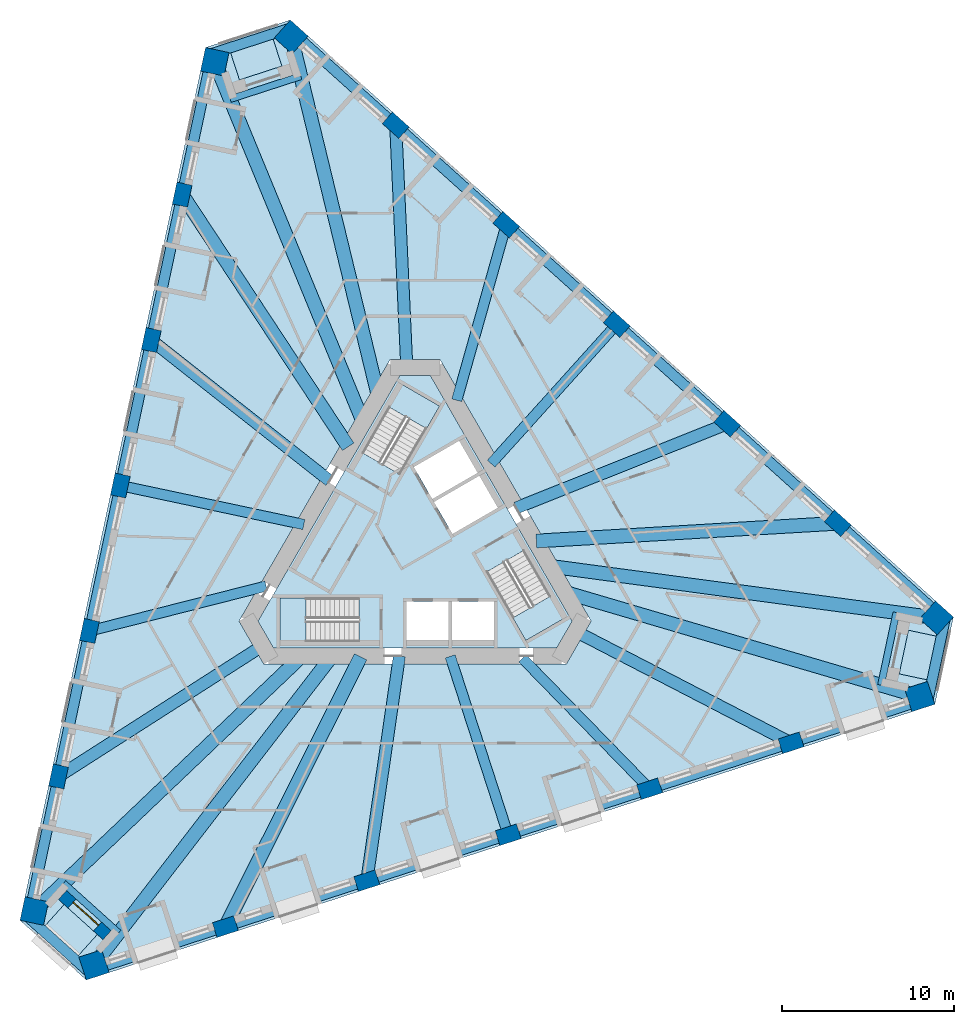
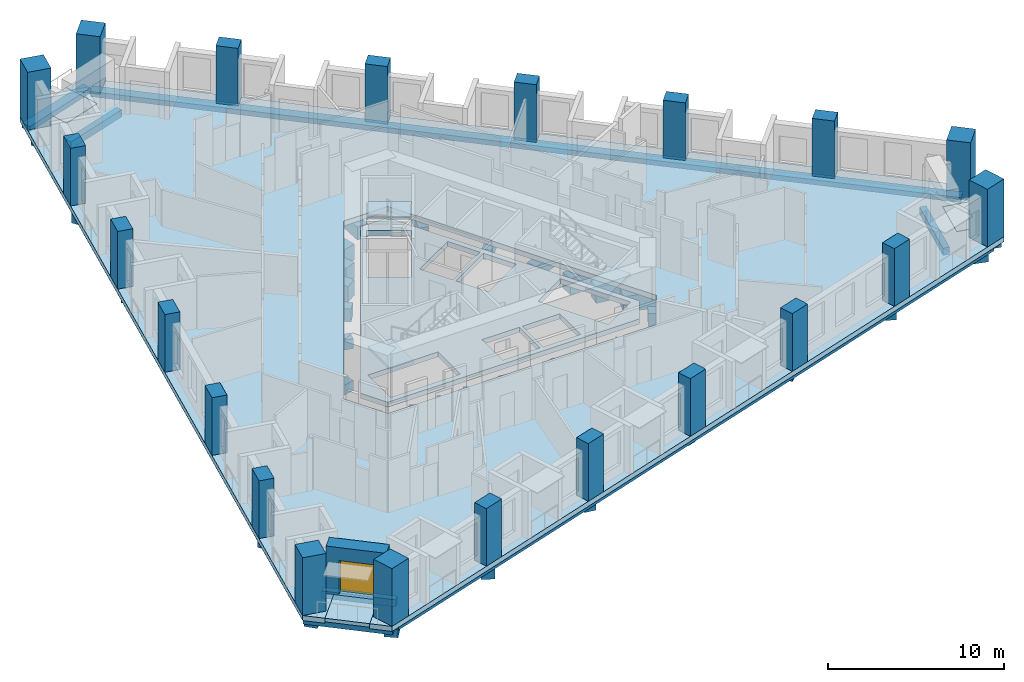
# One storey, part 1 of 13: 30 beams, 21 columns, 8 slabs, 1 door, 1 wall, 1 opening, 3 elements without a shape of their own.
"""IFC4 building model written with IfcOpenShell, lengths in metres."""

from ifc_helpers import new_model, si_unit, direction, frame, frame_2d, origin, origin_2d, place, context, subcontext, project, spatial, polyline, rectangle, outline, extrude, material, layer, layer_set, material_profile, profile_set, type_object, element, fill, aggregate, save


model = new_model("IFC4")

# Units and contexts
model_context = context("Model", 3, precision=1e-05, world=origin(), true_north=direction((0.0, 1.0)))
body_context = subcontext(model_context, "Body", "Model", "MODEL_VIEW")
ifc_project = project(units=[si_unit("LENGTHUNIT", "METRE"), si_unit("AREAUNIT", "SQUARE_METRE"), si_unit("VOLUMEUNIT", "CUBIC_METRE"), si_unit("PLANEANGLEUNIT", "RADIAN"), si_unit("MASSUNIT", "GRAM", prefix="KILO")], contexts=[model_context])

# Site, building, storey
site_placement = place(None, origin())
site = spatial("IfcSite", under=ifc_project, at=site_placement, CompositionType="ELEMENT")
building_placement = place(site_placement, origin())
building = spatial("IfcBuilding", under=site, at=building_placement, Name="Tramontana Tower", CompositionType="ELEMENT")
storey_placement = place(building_placement, frame((0.0, 0.0, 116.39990234375)))
storey = spatial("IfcBuildingStorey", under=building, at=storey_placement, Name="L26", CompositionType="ELEMENT", Elevation=116.39990234375)

# Columns
ifc_material_1 = material(Name="Concrete 70 MPa", Category="concrete")
ifc_material_profile_1 = material_profile(ifc_material_1, rectangle(XDim=1.39990234375, YDim=1.39990234375, at=origin_2d()), Name="Mega column 1400X1400 70 MPa")
ifc_profile_set_1 = profile_set([ifc_material_profile_1], Name="Concrete 70 MPa")
column_type_1 = type_object("IfcColumnType", Name="Mega column 1400X1400 70 MPa", PredefinedType="COLUMN", material=ifc_profile_set_1)
for number, where, z_axis, x_axis, name in (
    (1, (-11.665771484375, 28.3251953125, 0.0), (0.0, 0.0, 1.0), (-0.207911690818, -0.978147600734, 0.0), "Mega column C2K1 L26"),
    (2, (-22.17822265625, -21.13134765625, 0.0), (0.0, 0.0, 1.0), (-0.207911690818, -0.978147600734, 0.0), "Mega column C2K2 L26"),
    (3, (-18.697509765625, -24.265380859375, 0.0), (0.0, 0.0, 1.0), (0.951056516295, 0.309016994375, 0.0), "Mega column C2K3 L26"),
    (4, (29.389404296875, -8.64111328125, 0.0), (0.0, 0.0, 1.0), (0.951056516295, 0.309016994375, 0.0), "Mega column C2K4 L26"),
    (5, (30.36328125, -4.059814453125, 0.0), (0.0, 0.0, 1.0), (-0.743144825477, 0.669130606359, 0.0), "Mega column C2K5 L26"),
    (6, (-7.21142578125, 29.7724609375, 0.0), (0.0, 0.0, 1.0), (-0.743144825477, 0.669130606359, 0.0), "Mega column C2K6 L26"),
):
    element("IfcColumn", number, at=place(storey_placement, frame(where, z_axis=z_axis, x_axis=x_axis)), inside=storey, type_object=column_type_1, Name=name, PredefinedType="COLUMN", context=body_context, shape_type="SweptSolid", body=[
        extrude(rectangle(XDim=1.39990234375, YDim=1.39990234375, at=origin_2d()), origin(), (0.0, 0.0, 1.0), 4.0),
    ])
ifc_material_2 = material(Name="Concrete 55 MPa", Category="concrete")
ifc_material_profile_2 = material_profile(ifc_material_2, rectangle(XDim=1.300048828125, YDim=0.89990234375, at=origin_2d()), Name="Pier column 1300X900 55 MPa")
ifc_profile_set_2 = profile_set([ifc_material_profile_2], Name="Concrete 55 MPa")
column_type_2 = type_object("IfcColumnType", Name="Pier column 1300X900 55 MPa", PredefinedType="COLUMN", material=ifc_profile_set_2)
for number, where, z_axis, x_axis, name in (
    (7, (-13.5654296875, 20.5908203125, 0.0), (0.0, 0.0, 1.0), (-0.207911690818, -0.978147600734, 0.0), "Pier column C2F01 L26"),
    (8, (-15.365966796875, 12.119873046875, 0.0), (0.0, 0.0, 1.0), (-0.207911690818, -0.978147600734, 0.0), "Pier column C2F02 L26"),
    (9, (-17.16650390625, 3.64892578125, 0.0), (0.0, 0.0, 1.0), (-0.207911690818, -0.978147600734, 0.0), "Pier column C2F03 L26"),
    (10, (-18.967041015625, -4.822265625, 0.0), (0.0, 0.0, 1.0), (-0.207911690818, -0.978147600734, 0.0), "Pier column C2F04 L26"),
    (11, (-20.767578125, -13.293212890625, 0.0), (0.0, 0.0, 1.0), (-0.207911690818, -0.978147600734, 0.0), "Pier column C2F05 L26"),
    (12, (-11.049560546875, -22.04345703125, 0.0), (0.0, 0.0, 1.0), (0.951056516295, 0.309016994375, 0.0), "Pier column C2F06 L26"),
    (13, (-2.813232421875, -19.3671875, 0.0), (0.0, 0.0, 1.0), (0.951056516295, 0.309016994375, 0.0), "Pier column C2F07 L26"),
    (14, (5.42333984375, -16.691162109375, 0.0), (0.0, 0.0, 1.0), (0.951056516295, 0.309016994375, 0.0), "Pier column C2F08 L26"),
    (15, (13.65966796875, -14.014892578125, 0.0), (0.0, 0.0, 1.0), (0.951056516295, 0.309016994375, 0.0), "Pier column C2F09 L26"),
    (16, (21.89599609375, -11.338623046875, 0.0), (0.0, 0.0, 1.0), (0.951056516295, 0.309016994375, 0.0), "Pier column C2F10 L26"),
    (17, (24.614990234375, 1.452392578125, 0.0), (0.0, 0.0, 1.0), (-0.743144825477, 0.669130606359, 0.0), "Pier column C2F11 L26"),
    (18, (18.178955078125, 7.247314453125, 0.0), (0.0, 0.0, 1.0), (-0.743144825477, 0.669130606359, 0.0), "Pier column C2F12 L26"),
    (19, (11.7431640625, 13.042236328125, 0.0), (0.0, 0.0, 1.0), (-0.743144825477, 0.669130606359, 0.0), "Pier column C2F13 L26"),
    (20, (5.307373046875, 18.8369140625, 0.0), (0.0, 0.0, 1.0), (-0.743144825477, 0.669130606359, 0.0), "Pier column C2F14 L26"),
    (21, (-1.12841796875, 24.6318359375, 0.0), (0.0, 0.0, 1.0), (-0.743144825477, 0.669130606359, 0.0), "Pier column C2F15 L26"),
):
    element("IfcColumn", number, at=place(storey_placement, frame(where, z_axis=z_axis, x_axis=x_axis)), inside=storey, type_object=column_type_2, Name=name, PredefinedType="COLUMN", context=body_context, shape_type="SweptSolid", body=[
        extrude(rectangle(XDim=1.300048828125, YDim=0.89990234375, at=origin_2d()), origin(), (0.0, 0.0, 1.0), 4.0),
    ])

# Beams
ifc_material_3 = material(Name="Concrete 40 MPa", Category="concrete")
ifc_material_profile_3 = material_profile(ifc_material_3, rectangle(XDim=0.60009765625, YDim=0.35009765625, at=origin_2d()), Name="RC EDGE BEAM 600X350 40 MPa")
ifc_profile_set_3 = profile_set([ifc_material_profile_3], Name="Concrete 40 MPa")
beam_type_1 = type_object("IfcBeamType", Name="RC EDGE BEAM 600X350 40 MPa", PredefinedType="SPANDREL", material=ifc_profile_set_3)
beam_1_placement = place(storey_placement, frame((-11.910400390625, 28.377197265625, -0.52490234375), z_axis=(-0.207908708796, -0.978148234577, 0.0), x_axis=(0.978148234577, -0.207908708796, 0.0)))
element("IfcBeam", 22, at=beam_1_placement, inside=storey, type_object=beam_type_1, Name="Spandrel beam S0 L26", PredefinedType="SPANDREL", context=body_context, shape_type="SweptSolid", body=[
    extrude(rectangle(XDim=0.60009765625, YDim=0.35009765625, at=origin_2d()), origin(), (0.0, 0.0, 1.0), 50.561767578125),
])
beam_2_placement = place(storey_placement, frame((-18.6201171875, -24.503173828125, -0.52490234375), z_axis=(0.95105720178, 0.309014884661, 0.0), x_axis=(-0.309014884661, 0.95105720178, 0.0)))
element("IfcBeam", 23, at=beam_2_placement, inside=storey, type_object=beam_type_1, Name="Spandrel beam S1 L26", PredefinedType="SPANDREL", context=body_context, shape_type="SweptSolid", body=[
    extrude(rectangle(XDim=0.60009765625, YDim=0.35009765625, at=origin_2d()), origin(), (0.0, 0.0, 1.0), 50.5615234375),
])
beam_3_placement = place(storey_placement, frame((30.530517578125, -3.873779296875, -0.52490234375), z_axis=(-0.743146468863, 0.66912878119, 0.0), x_axis=(-0.66912878119, -0.743146468863, 0.0)))
element("IfcBeam", 24, at=beam_3_placement, inside=storey, type_object=beam_type_1, Name="Spandrel beam S2 L26", PredefinedType="SPANDREL", context=body_context, shape_type="SweptSolid", body=[
    extrude(rectangle(XDim=0.60009765625, YDim=0.35009765625, at=origin_2d()), origin(), (0.0, 0.0, 1.0), 50.561279296875),
])
beam_4_placement = place(storey_placement, frame((-7.1240234375, 30.333251953125, -0.52490234375), z_axis=(-0.951056854477, -0.309015953557, 0.0), x_axis=(0.309015953557, -0.951056854477, 0.0)))
element("IfcBeam", 25, at=beam_4_placement, inside=storey, type_object=beam_type_1, Name="Spandrel beam K0 L26", PredefinedType="SPANDREL", context=body_context, shape_type="SweptSolid", body=[
    extrude(rectangle(XDim=0.60009765625, YDim=0.35009765625, at=origin_2d()), origin(), (0.0, 0.0, 1.0), 5.1962890625),
])
beam_5_placement = place(storey_placement, frame((-22.707275390625, -21.336181640625, -0.52490234375), z_axis=(0.743160964229, -0.669112682025, 0.0), x_axis=(0.669112682025, 0.743160964229, 0.0)))
element("IfcBeam", 26, at=beam_5_placement, inside=storey, type_object=beam_type_1, Name="Spandrel beam K1 L26", PredefinedType="SPANDREL", context=body_context, shape_type="SweptSolid", body=[
    extrude(rectangle(XDim=0.60009765625, YDim=0.35009765625, at=origin_2d()), origin(), (0.0, 0.0, 1.0), 5.196044921875),
])
beam_6_placement = place(storey_placement, frame((29.831298828125, -8.9970703125, -0.52490234375), z_axis=(0.207902023431, 0.97814965555, 0.0), x_axis=(-0.97814965555, 0.207902023431, 0.0)))
element("IfcBeam", 27, at=beam_6_placement, inside=storey, type_object=beam_type_1, Name="Spandrel beam K2 L26", PredefinedType="SPANDREL", context=body_context, shape_type="SweptSolid", body=[
    extrude(rectangle(XDim=0.60009765625, YDim=0.35009765625, at=origin_2d()), origin(), (0.0, 0.0, 1.0), 5.1962890625),
])
ifc_material_4 = material(Name="Concrete 40 MPa", Category="concrete")
ifc_material_profile_4 = material_profile(ifc_material_4, rectangle(XDim=0.60009765625, YDim=0.699951171875, at=origin_2d()), Name="RC GIRDER 600X700 40 MPa")
ifc_profile_set_4 = profile_set([ifc_material_profile_4], Name="Concrete 40 MPa")
beam_type_2 = type_object("IfcBeamType", Name="RC GIRDER 600X700 40 MPa", PredefinedType="BEAM", material=ifc_profile_set_4)
beam_7_placement = place(storey_placement, frame((-17.16650390625, 3.64892578125, -0.699951171875), z_axis=(0.978147322784, -0.207912998466, 0.0), x_axis=(0.207912998466, 0.978147322784, 0.0)))
element("IfcBeam", 28, at=beam_7_placement, inside=storey, type_object=beam_type_2, Name="Radial girder C2F03 L26", PredefinedType="BEAM", context=body_context, shape_type="SweptSolid", body=[
    extrude(rectangle(XDim=0.60009765625, YDim=0.699951171875, at=origin_2d()), origin(), (0.0, 0.0, 1.0), 10.927490234375),
])
beam_8_placement = place(storey_placement, frame((-18.967041015625, -4.822265625, -0.699951171875), z_axis=(0.969167879742, 0.24640134106, 0.0), x_axis=(-0.24640134106, 0.969167879742, 0.0)))
element("IfcBeam", 29, at=beam_8_placement, inside=storey, type_object=beam_type_2, Name="Radial girder C2F04 L26", PredefinedType="BEAM", context=body_context, shape_type="SweptSolid", body=[
    extrude(rectangle(XDim=0.60009765625, YDim=0.699951171875, at=origin_2d()), origin(), (0.0, 0.0, 1.0), 10.61962890625),
])
beam_9_placement = place(storey_placement, frame((5.423095703125, -16.69091796875, -0.699951171875), z_axis=(-0.309006757929, 0.951059842257, 0.0), x_axis=(-0.951059842257, -0.309006757929, 0.0)))
element("IfcBeam", 30, at=beam_9_placement, inside=storey, type_object=beam_type_2, Name="Radial girder C2F08 L26", PredefinedType="BEAM", context=body_context, shape_type="SweptSolid", body=[
    extrude(rectangle(XDim=0.60009765625, YDim=0.699951171875, at=origin_2d()), origin(), (0.0, 0.0, 1.0), 10.927734375),
])
beam_10_placement = place(storey_placement, frame((13.65966796875, -14.014892578125, -0.699951171875), z_axis=(-0.697979323515, 0.716117912041, 0.0), x_axis=(-0.716117912041, -0.697979323515, 0.0)))
element("IfcBeam", 31, at=beam_10_placement, inside=storey, type_object=beam_type_2, Name="Radial girder C2F09 L26", PredefinedType="BEAM", context=body_context, shape_type="SweptSolid", body=[
    extrude(rectangle(XDim=0.60009765625, YDim=0.699951171875, at=origin_2d()), origin(), (0.0, 0.0, 1.0), 10.61962890625),
])
beam_11_placement = place(storey_placement, frame((11.7431640625, 13.042236328125, -0.699951171875), z_axis=(-0.669128882364, -0.743146377766, 0.0), x_axis=(0.743146377766, -0.669128882364, 0.0)))
element("IfcBeam", 32, at=beam_11_placement, inside=storey, type_object=beam_type_2, Name="Radial girder C2F13 L26", PredefinedType="BEAM", context=body_context, shape_type="SweptSolid", body=[
    extrude(rectangle(XDim=0.60009765625, YDim=0.699951171875, at=origin_2d()), origin(), (0.0, 0.0, 1.0), 10.927734375),
])
beam_12_placement = place(storey_placement, frame((5.307373046875, 18.8369140625, -0.699951171875), z_axis=(-0.271184951147, -0.962527257937, 0.0), x_axis=(0.962527257937, -0.271184951147, 0.0)))
element("IfcBeam", 33, at=beam_12_placement, inside=storey, type_object=beam_type_2, Name="Radial girder C2F14 L26", PredefinedType="BEAM", context=body_context, shape_type="SweptSolid", body=[
    extrude(rectangle(XDim=0.60009765625, YDim=0.699951171875, at=origin_2d()), origin(), (0.0, 0.0, 1.0), 10.61962890625),
])
ifc_material_5 = material(Name="Concrete 40 MPa", Category="concrete")
ifc_material_profile_5 = material_profile(ifc_material_5, rectangle(XDim=0.699951171875, YDim=0.89990234375, at=origin_2d()), Name="RC GIRDER 700X900 40 MPa")
ifc_profile_set_5 = profile_set([ifc_material_profile_5], Name="Concrete 40 MPa")
beam_type_3 = type_object("IfcBeamType", Name="RC GIRDER 700X900 40 MPa", PredefinedType="BEAM", material=ifc_profile_set_5)
beam_13_placement = place(storey_placement, frame((-15.365966796875, 12.119873046875, -0.7998046875), z_axis=(0.785161962565, -0.619290475093, 0.0), x_axis=(0.619290475093, 0.785161962565, 0.0)))
element("IfcBeam", 34, at=beam_13_placement, inside=storey, type_object=beam_type_3, Name="Radial girder C2F02 L26", PredefinedType="BEAM", context=body_context, shape_type="SweptSolid", body=[
    extrude(rectangle(XDim=0.699951171875, YDim=0.89990234375, at=origin_2d()), origin(), (0.0, 0.0, 1.0), 13.224609375),
])
beam_14_placement = place(storey_placement, frame((-20.767578125, -13.293212890625, -0.7998046875), z_axis=(0.842236860049, 0.539107662323, 0.0), x_axis=(-0.539107662323, 0.842236860049, 0.0)))
element("IfcBeam", 35, at=beam_14_placement, inside=storey, type_object=beam_type_3, Name="Radial girder C2F05 L26", PredefinedType="BEAM", context=body_context, shape_type="SweptSolid", body=[
    extrude(rectangle(XDim=0.699951171875, YDim=0.89990234375, at=origin_2d()), origin(), (0.0, 0.0, 1.0), 14.12109375),
])
beam_15_placement = place(storey_placement, frame((-2.81298828125, -19.3671875, -0.7998046875), z_axis=(0.143736706845, 0.989615965466, 0.0), x_axis=(-0.989615965466, 0.143736706845, 0.0)))
element("IfcBeam", 36, at=beam_15_placement, inside=storey, type_object=beam_type_3, Name="Radial girder C2F07 L26", PredefinedType="BEAM", context=body_context, shape_type="SweptSolid", body=[
    extrude(rectangle(XDim=0.699951171875, YDim=0.89990234375, at=origin_2d()), origin(), (0.0, 0.0, 1.0), 13.224609375),
])
beam_16_placement = place(storey_placement, frame((21.89599609375, -11.338623046875, -0.7998046875), z_axis=(-0.88800272981, 0.45983818007, 0.0), x_axis=(-0.45983818007, -0.88800272981, 0.0)))
element("IfcBeam", 37, at=beam_16_placement, inside=storey, type_object=beam_type_3, Name="Radial girder C2F10 L26", PredefinedType="BEAM", context=body_context, shape_type="SweptSolid", body=[
    extrude(rectangle(XDim=0.699951171875, YDim=0.89990234375, at=origin_2d()), origin(), (0.0, 0.0, 1.0), 14.12109375),
])
beam_17_placement = place(storey_placement, frame((18.17919921875, 7.247314453125, -0.7998046875), z_axis=(-0.928907671919, -0.370311405509, 0.0), x_axis=(0.370311405509, -0.928907671919, 0.0)))
element("IfcBeam", 38, at=beam_17_placement, inside=storey, type_object=beam_type_3, Name="Radial girder C2F12 L26", PredefinedType="BEAM", context=body_context, shape_type="SweptSolid", body=[
    extrude(rectangle(XDim=0.699951171875, YDim=0.89990234375, at=origin_2d()), origin(), (0.0, 0.0, 1.0), 13.224609375),
])
beam_18_placement = place(storey_placement, frame((-1.12841796875, 24.6318359375, -0.7998046875), z_axis=(0.045763702309, -0.99895229293, 0.0), x_axis=(0.99895229293, 0.045763702309, 0.0)))
element("IfcBeam", 39, at=beam_18_placement, inside=storey, type_object=beam_type_3, Name="Radial girder C2F15 L26", PredefinedType="BEAM", context=body_context, shape_type="SweptSolid", body=[
    extrude(rectangle(XDim=0.699951171875, YDim=0.89990234375, at=origin_2d()), origin(), (0.0, 0.0, 1.0), 14.121337890625),
])
ifc_material_6 = material(Name="Concrete 40 MPa", Category="concrete")
ifc_material_profile_6 = material_profile(ifc_material_6, rectangle(XDim=0.800048828125, YDim=1.10009765625, at=origin_2d()), Name="RC GIRDER 800X1100 40 MPa")
ifc_profile_set_6 = profile_set([ifc_material_profile_6], Name="Concrete 40 MPa")
beam_type_4 = type_object("IfcBeamType", Name="RC GIRDER 800X1100 40 MPa", PredefinedType="BEAM", material=ifc_profile_set_6)
beam_19_placement = place(storey_placement, frame((-11.665771484375, 28.3251953125, -0.89990234375), z_axis=(0.380819934235, -0.924649218725, 0.0), x_axis=(0.924649218725, 0.380819934235, 0.0)))
element("IfcBeam", 40, at=beam_19_placement, inside=storey, type_object=beam_type_4, Name="Radial girder C2K1 L26", PredefinedType="BEAM", context=body_context, shape_type="SweptSolid", body=[
    extrude(rectangle(XDim=0.800048828125, YDim=1.10009765625, at=origin_2d()), origin(), (0.0, 0.0, 1.0), 22.5869140625),
])
beam_20_placement = place(storey_placement, frame((-13.5654296875, 20.5908203125, -0.89990234375), z_axis=(0.550154503281, -0.835062885368, 0.0), x_axis=(0.835062885368, 0.550154503281, 0.0)))
element("IfcBeam", 41, at=beam_20_placement, inside=storey, type_object=beam_type_4, Name="Radial girder C2F01 L26", PredefinedType="BEAM", context=body_context, shape_type="SweptSolid", body=[
    extrude(rectangle(XDim=0.800048828125, YDim=1.10009765625, at=origin_2d()), origin(), (0.0, 0.0, 1.0), 17.58203125),
])
beam_21_placement = place(storey_placement, frame((-22.177978515625, -21.13134765625, -0.89990234375), z_axis=(0.723983254275, 0.689817546551, 0.0), x_axis=(-0.689817546551, 0.723983254275, 0.0)))
element("IfcBeam", 42, at=beam_21_placement, inside=storey, type_object=beam_type_4, Name="Radial girder C2K2 L26", PredefinedType="BEAM", context=body_context, shape_type="SweptSolid", body=[
    extrude(rectangle(XDim=0.800048828125, YDim=1.10009765625, at=origin_2d()), origin(), (0.0, 0.0, 1.0), 21.322998046875),
])
beam_22_placement = place(storey_placement, frame((-18.697509765625, -24.265380859375, -0.89990234375), z_axis=(0.610367161523, 0.792118632614, 0.0), x_axis=(-0.792118632614, 0.610367161523, 0.0)))
element("IfcBeam", 43, at=beam_22_placement, inside=storey, type_object=beam_type_4, Name="Radial girder C2K3 L26", PredefinedType="BEAM", context=body_context, shape_type="SweptSolid", body=[
    extrude(rectangle(XDim=0.800048828125, YDim=1.10009765625, at=origin_2d()), origin(), (0.0, 0.0, 1.0), 22.5869140625),
])
beam_23_placement = place(storey_placement, frame((-11.049560546875, -22.04345703125, -0.89990234375), z_axis=(0.448118712833, 0.893974059584, 0.0), x_axis=(-0.893974059584, 0.448118712833, 0.0)))
element("IfcBeam", 44, at=beam_23_placement, inside=storey, type_object=beam_type_4, Name="Radial girder C2F06 L26", PredefinedType="BEAM", context=body_context, shape_type="SweptSolid", body=[
    extrude(rectangle(XDim=0.800048828125, YDim=1.10009765625, at=origin_2d()), origin(), (0.0, 0.0, 1.0), 17.582275390625),
])
beam_24_placement = place(storey_placement, frame((29.389404296875, -8.64111328125, -0.89990234375), z_axis=(-0.959390293023, 0.282082019372, 0.0), x_axis=(-0.282082019372, -0.959390293023, 0.0)))
element("IfcBeam", 45, at=beam_24_placement, inside=storey, type_object=beam_type_4, Name="Radial girder C2K4 L26", PredefinedType="BEAM", context=body_context, shape_type="SweptSolid", body=[
    extrude(rectangle(XDim=0.800048828125, YDim=1.10009765625, at=origin_2d()), origin(), (0.0, 0.0, 1.0), 21.3232421875),
])
beam_25_placement = place(storey_placement, frame((30.36328125, -4.059814453125, -0.89990234375), z_axis=(-0.99117940686, 0.132526915819, 0.0), x_axis=(-0.132526915819, -0.99117940686, 0.0)))
element("IfcBeam", 46, at=beam_25_placement, inside=storey, type_object=beam_type_4, Name="Radial girder C2K5 L26", PredefinedType="BEAM", context=body_context, shape_type="SweptSolid", body=[
    extrude(rectangle(XDim=0.800048828125, YDim=1.10009765625, at=origin_2d()), origin(), (0.0, 0.0, 1.0), 22.587158203125),
])
beam_26_placement = place(storey_placement, frame((24.614990234375, 1.452392578125, -0.89990234375), z_axis=(-0.998263727152, -0.058902725346, 0.0), x_axis=(0.058902725346, -0.998263727152, 0.0)))
element("IfcBeam", 47, at=beam_26_placement, inside=storey, type_object=beam_type_4, Name="Radial girder C2F11 L26", PredefinedType="BEAM", context=body_context, shape_type="SweptSolid", body=[
    extrude(rectangle(XDim=0.800048828125, YDim=1.10009765625, at=origin_2d()), origin(), (0.0, 0.0, 1.0), 17.582275390625),
])
beam_27_placement = place(storey_placement, frame((-7.211181640625, 29.7724609375, -0.89990234375), z_axis=(0.235403401789, -0.971897751014, 0.0), x_axis=(0.971897751014, 0.235403401789, 0.0)))
element("IfcBeam", 48, at=beam_27_placement, inside=storey, type_object=beam_type_4, Name="Radial girder C2K6 L26", PredefinedType="BEAM", context=body_context, shape_type="SweptSolid", body=[
    extrude(rectangle(XDim=0.800048828125, YDim=1.10009765625, at=origin_2d()), origin(), (0.0, 0.0, 1.0), 21.322998046875),
])
ifc_material_7 = material(Name="Concrete 40 MPa", Category="concrete")
ifc_material_profile_7 = material_profile(ifc_material_7, rectangle(XDim=0.39990234375, YDim=0.5, at=origin_2d()), Name="RC TRIM BEAM 400X500 40 MPa")
ifc_profile_set_7 = profile_set([ifc_material_profile_7], Name="Concrete 40 MPa")
beam_type_5 = type_object("IfcBeamType", Name="RC TRIM BEAM 400X500 40 MPa", PredefinedType="JOIST", material=ifc_profile_set_7)
for number, where, z_axis, x_axis, name in (
    (49, (-6.657958984375, 27.48779296875, -0.599853515625), (-0.951061034198, -0.309003089354, 0.0), (0.309003089354, -0.951061034198, 0.0), "Trimmer beam K0 L26"),
    (50, (-20.476318359375, -19.510009765625, -0.599853515625), (0.743173417356, -0.669098850496, 0.0), (0.669098850496, 0.743173417356, 0.0), "Trimmer beam K1 L26"),
    (51, (27.13427734375, -7.97802734375, -0.599853515625), (0.207882389407, 0.978153828482, 0.0), (-0.978153828482, 0.207882389407, 0.0), "Trimmer beam K2 L26"),
):
    element("IfcBeam", number, at=place(storey_placement, frame(where, z_axis=z_axis, x_axis=x_axis)), inside=storey, type_object=beam_type_5, Name=name, PredefinedType="JOIST", context=body_context, shape_type="SweptSolid", body=[
        extrude(rectangle(XDim=0.39990234375, YDim=0.5, at=origin_2d()), origin(), (0.0, 0.0, 1.0), 4.32421875),
    ])

# Slabs
ifc_material_8 = material(Name="Precast concrete 50 MPa", Category="concrete")
ifc_layer_1 = layer(ifc_material_8, 0.25)
ifc_layer_set_1 = layer_set([ifc_layer_1], Name="LT1 Loggia floor tray 250")
slab_type_1 = type_object("IfcSlabType", Name="LT1 Loggia floor tray 250", PredefinedType="FLOOR", material=ifc_layer_set_1)
slab_1_placement = place(storey_placement, frame((0.0, 0.0, -0.25)))
element("IfcSlab", 52, at=slab_1_placement, inside=storey, type_object=slab_type_1, Name="Corner loggia floor L26 K20", PredefinedType="FLOOR", context=body_context, shape_type="SweptSolid", body=[
    extrude(outline(polyline([(-8.49755859375, 30.360107421875), (-7.756103515625, 28.077392578125), (-10.228759765625, 27.27392578125), (-10.970458984375, 29.556640625), (-8.49755859375, 30.360107421875)])), origin(), (0.0, 0.0, 1.0), 0.25),
])
slab_2_placement = place(storey_placement, frame((0.0, 0.0, -0.25)))
element("IfcSlab", 53, at=slab_2_placement, inside=storey, type_object=slab_type_1, Name="Corner loggia floor L26 K21", PredefinedType="FLOOR", context=body_context, shape_type="SweptSolid", body=[
    extrude(outline(polyline([(-22.043701171875, -22.539306640625), (-20.437744140625, -20.755615234375), (-18.505615234375, -22.495361328125), (-20.111572265625, -24.279052734375), (-22.043701171875, -22.539306640625)])), origin(), (0.0, 0.0, 1.0), 0.25),
])
slab_3_placement = place(storey_placement, frame((0.0, 0.0, -0.25)))
element("IfcSlab", 54, at=slab_3_placement, inside=storey, type_object=slab_type_1, Name="Corner loggia floor L26 K22", PredefinedType="FLOOR", context=body_context, shape_type="SweptSolid", body=[
    extrude(outline(polyline([(30.541259765625, -7.82080078125), (28.19384765625, -7.32177734375), (28.734375, -4.778564453125), (31.08203125, -5.277587890625), (30.541259765625, -7.82080078125)])), origin(), (0.0, 0.0, 1.0), 0.25),
])
ifc_material_9 = material(Name="Concrete 40 MPa", Category="concrete")
ifc_layer_2 = layer(ifc_material_9, 0.35009765625)
ifc_layer_set_2 = layer_set([ifc_layer_2], Name="PT FLAT SLAB 350 40 MPa")
slab_type_2 = type_object("IfcSlabType", Name="PT FLAT SLAB 350 40 MPa", PredefinedType="FLOOR", material=ifc_layer_set_2)
slab_4_placement = place(storey_placement, frame((0.0, 0.0, -0.349853515625)))
element("IfcSlab", 55, at=slab_4_placement, inside=storey, type_object=slab_type_2, Name="Floor slab L26", PredefinedType="FLOOR", context=body_context, shape_type="SweptSolid", body=[
    extrude(outline(polyline([(31.081787109375, -5.277587890625), (28.734375, -4.778564453125), (28.19384765625, -7.32177734375), (30.54150390625, -7.82080078125), (30.271484375, -9.090576171875), (-19.14697265625, -25.1474609375), (-20.111572265625, -24.27880859375), (-18.505615234375, -22.495361328125), (-20.437744140625, -20.755615234375), (-22.043701171875, -22.539306640625), (-23.00830078125, -21.670654296875), (-12.205078125, 29.155517578125), (-10.970458984375, 29.556640625), (-10.228759765625, 27.27392578125), (-7.756103515625, 28.077392578125), (-8.497802734375, 30.360107421875), (-7.26318359375, 30.760986328125), (31.351806640625, -4.0078125), (31.081787109375, -5.277587890625)]), holes=[polyline([(-10.248046875, -4.25), (-8.8046875, -6.75), (8.8046875, -6.75), (10.248046875, -4.25), (1.443359375, 11.0), (-1.443359375, 11.0), (-10.248046875, -4.25)])]), origin(), (0.0, 0.0, 1.0), 0.349853515625),
])
slab_5_placement = place(storey_placement, frame((0.0, 0.0, -0.349853515625)))
element("IfcSlab", 56, at=slab_5_placement, inside=storey, type_object=slab_type_2, Name="Core floor slab L26", PredefinedType="FLOOR", context=body_context, shape_type="SweptSolid", body=[
    extrude(outline(polyline([(9.15087890625, -4.25), (8.256103515625, -5.800048828125), (-8.256103515625, -5.800048828125), (-9.15087890625, -4.25), (-0.89501953125, 10.050048828125), (0.89501953125, 10.050048828125), (9.15087890625, -4.25)]), holes=[polyline([(8.659912109375, -4.099365234375), (6.35986328125, -0.115478515625), (4.151611328125, -1.390625), (6.451416015625, -5.374267578125), (8.659912109375, -4.099365234375)]), polyline([(3.829833984375, 4.2666015625), (1.101806640625, 2.69140625), (2.177001953125, 0.82958984375), (4.90478515625, 2.404541015625), (3.829833984375, 4.2666015625)]), polyline([(4.590087890625, -3.10009765625), (2.139892578125, -3.10009765625), (2.139892578125, -5.449951171875), (4.590087890625, -5.449951171875), (4.590087890625, -3.10009765625)]), polyline([(2.65478515625, 6.3017578125), (-0.072998046875, 4.726806640625), (1.001953125, 2.86474609375), (3.729736328125, 4.439697265625), (2.65478515625, 6.3017578125)]), polyline([(1.93994140625, -5.449951171875), (1.93994140625, -3.10009765625), (-0.510009765625, -3.10009765625), (-0.510009765625, -5.449951171875), (1.93994140625, -5.449951171875)]), polyline([(-0.77978515625, 9.54931640625), (-3.079833984375, 5.565673828125), (-0.87158203125, 4.29052734375), (1.428466796875, 8.2744140625), (-0.77978515625, 9.54931640625)]), polyline([(-7.8798828125, -5.449951171875), (-3.280029296875, -5.449951171875), (-3.280029296875, -2.89990234375), (-7.8798828125, -2.89990234375), (-7.8798828125, -5.449951171875)])]), origin(), (0.0, 0.0, 1.0), 0.349853515625),
])

# Stair, slab
ifc_material_10 = material(Name="Concrete 40 MPa", Category="concrete")
stair_type = type_object("IfcStairType", Name="EXIT STAIR 24 RISERS", PredefinedType="HALF_TURN_STAIR", material=ifc_material_10)
stair_1_placement = place(storey_placement, origin())
stair_1 = element("IfcStair", 57, at=stair_1_placement, inside=storey, type_object=stair_type, Name="L26 Exit stair ST1", PredefinedType="HALF_TURN_STAIR")
ifc_material_11 = material(Name="Concrete 40 MPa", Category="concrete")
ifc_layer_3 = layer(ifc_material_11, 0.199951171875)
ifc_layer_set_3 = layer_set([ifc_layer_3], Name="STAIR LANDING 200")
slab_type_3 = type_object("IfcSlabType", Name="STAIR LANDING 200", PredefinedType="LANDING", material=ifc_layer_set_3)
slab_6_placement = place(storey_placement, frame((0.0, 0.0, 1.800048828125)))
slab_6 = element("IfcSlab", 58, at=slab_6_placement, type_object=slab_type_3, Name="ST1 landing 1", PredefinedType="LANDING", context=body_context, shape_type="SweptSolid", body=[
    extrude(outline(polyline([(0.66845703125, 6.9580078125), (1.428466796875, 8.274169921875), (-0.77978515625, 9.54931640625), (-1.539794921875, 8.23291015625), (0.66845703125, 6.9580078125)])), origin(), (0.0, 0.0, 1.0), 0.199951171875),
])
aggregate(stair_1, [slab_6])

stair_2_placement = place(storey_placement, origin())
stair_2 = element("IfcStair", 59, at=stair_2_placement, inside=storey, type_object=stair_type, Name="L26 Exit stair ST2", PredefinedType="HALF_TURN_STAIR")
slab_7_placement = place(storey_placement, frame((0.0, 0.0, 1.800048828125)))
slab_7 = element("IfcSlab", 60, at=slab_7_placement, type_object=slab_type_3, Name="ST2 landing 1", PredefinedType="LANDING", context=body_context, shape_type="SweptSolid", body=[
    extrude(outline(polyline([(-6.360107421875, -2.89990234375), (-7.8798828125, -2.89990234375), (-7.8798828125, -5.449951171875), (-6.360107421875, -5.449951171875), (-6.360107421875, -2.89990234375)])), origin(), (0.0, 0.0, 1.0), 0.199951171875),
])
aggregate(stair_2, [slab_7])

stair_3_placement = place(storey_placement, origin())
stair_3 = element("IfcStair", 61, at=stair_3_placement, inside=storey, type_object=stair_type, Name="L26 Exit stair ST3", PredefinedType="HALF_TURN_STAIR")
slab_8_placement = place(storey_placement, frame((0.0, 0.0, 1.800048828125)))
slab_8 = element("IfcSlab", 62, at=slab_8_placement, type_object=slab_type_3, Name="ST3 landing 1", PredefinedType="LANDING", context=body_context, shape_type="SweptSolid", body=[
    extrude(outline(polyline([(5.69140625, -4.057861328125), (6.451416015625, -5.374267578125), (8.659912109375, -4.099365234375), (7.89990234375, -2.782958984375), (5.69140625, -4.057861328125)])), origin(), (0.0, 0.0, 1.0), 0.199951171875),
])
aggregate(stair_3, [slab_8])

# Wall, opening, door
ifc_material_12 = material(Name="Precast concrete 60 MPa", Category="concrete")
ifc_layer_4 = layer(ifc_material_12, 0.89990234375)
ifc_layer_set_4 = layer_set([ifc_layer_4], Name="EW2 Stone-faced corner loggia wall 900")
wall_type = type_object("IfcWallType", Name="EW2 Stone-faced corner loggia wall 900", PredefinedType="SOLIDWALL", material=ifc_layer_set_4)
wall_placement = place(storey_placement, frame((-17.8701171875, -22.462158203125, 0.0), z_axis=(0.0, 0.0, 1.0), x_axis=(-0.743141519559, 0.669134277936, 0.0)))
wall = element("IfcWall", 63, at=wall_placement, inside=storey, type_object=wall_type, Name="Corner loggia wall L26 K21", PredefinedType="SOLIDWALL", context=body_context, shape_type="SweptSolid", body=[
    extrude(rectangle(XDim=3.5, YDim=0.89990234375, at=frame_2d((1.75, 0.0))), origin(), (0.0, 0.0, 1.0), 3.300048828125),
])
opening_placement = place(wall_placement, frame((0.75, 0.0, 0.0)))
opening = element("IfcOpeningElement", 64, at=opening_placement, cuts=wall, Name="Opening BD-21C", PredefinedType="OPENING", context=body_context, shape_type="SweptSolid", body=[
    extrude(rectangle(XDim=2.0, YDim=2.39990234375, at=frame_2d((1.0, 1.199951171875))), frame((0.0, 0.4599609375, 0.0), z_axis=(0.0, -1.0, 0.0), x_axis=(1.0, 0.0, 0.0)), (0.0, 0.0, 1.0), 0.919921875),
])
ifc_material_13 = material(Name="Aluminum frame, double glazing unit", Category="aluminium")
door_type = type_object("IfcDoorType", Name="BC1 Sliding door 2 x 2.4", OperationType="SLIDING_TO_LEFT", PredefinedType="DOOR", material=ifc_material_13)
door_placement = place(opening_placement, origin())
door = element("IfcDoor", 65, at=door_placement, inside=storey, type_object=door_type, Name="Corner loggia door L26 K21", OperationType="SLIDING_TO_LEFT", OverallHeight=2.39990234375, OverallWidth=2.0, PredefinedType="DOOR", context=body_context, shape_type="SweptSolid", body=[
    extrude(rectangle(XDim=2.0, YDim=2.39990234375, at=frame_2d((1.0, 1.199951171875))), frame((0.0, 0.02490234375, 0.0), z_axis=(0.0, -1.0, 0.0), x_axis=(1.0, 0.0, 0.0)), (0.0, 0.0, 1.0), 0.050048828125),
])
fill(opening, door)

save(model, "model.ifc")
